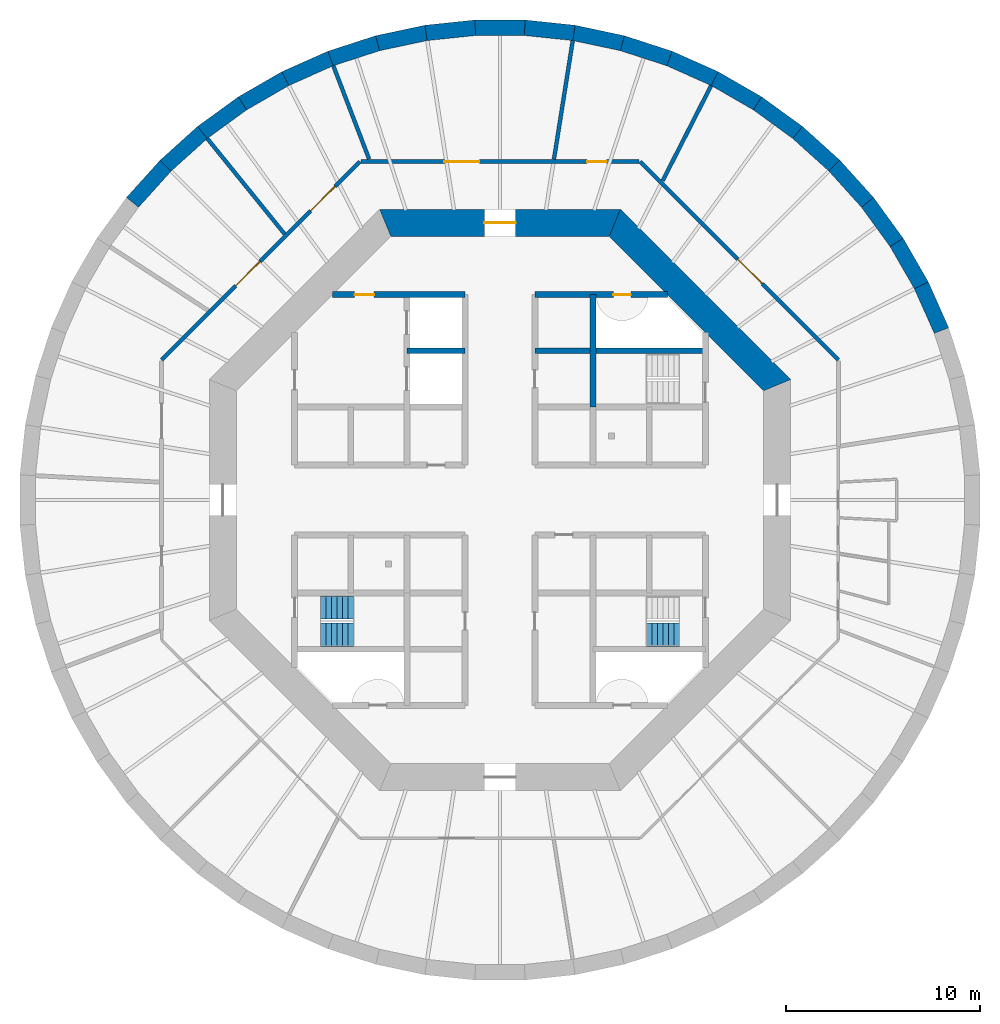
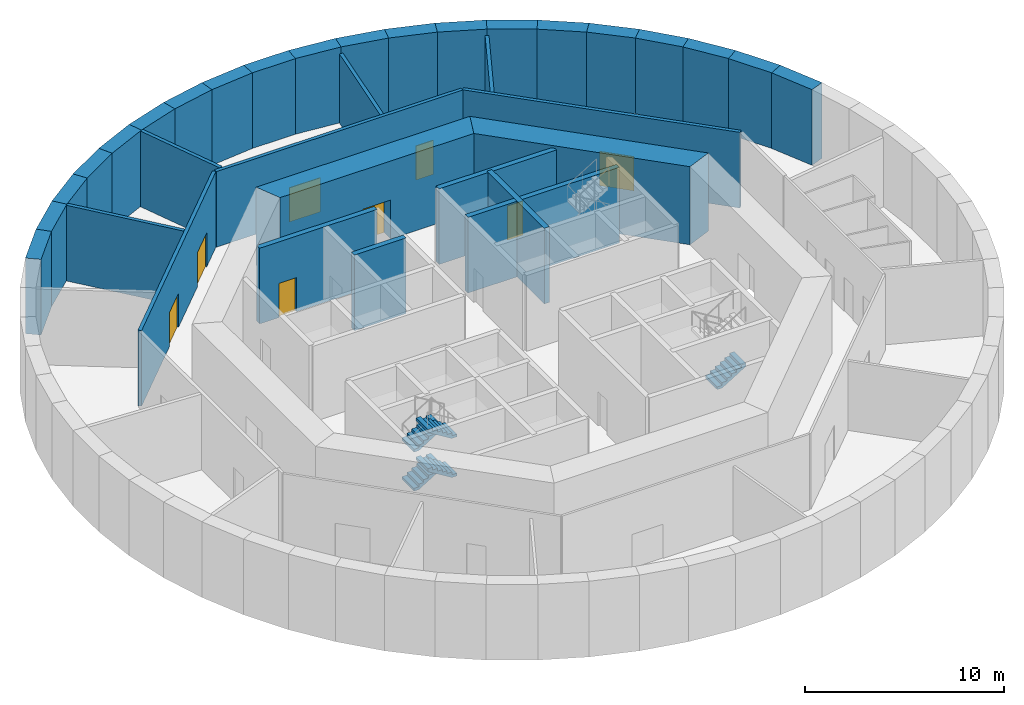
# One storey, part 5 of 7: 34 walls, 8 doors, 5 stair flights, 8 openings, 2 elements without a shape of their own.
"""IFC4 building model written with IfcOpenShell, lengths in metres."""

from ifc_helpers import new_model, si_unit, direction, frame, frame_2d, origin, place, context, subcontext, project, spatial, polyline, rectangle, outline, extrude, material, layer, layer_set, type_object, element, fill, aggregate, save


model = new_model("IFC4")

# Units and contexts
model_context = context("Model", 3, precision=1e-05, world=origin(), true_north=direction((0.0, 1.0)))
body_context = subcontext(model_context, "Body", "Model", "MODEL_VIEW")
ifc_project = project(units=[si_unit("LENGTHUNIT", "METRE"), si_unit("AREAUNIT", "SQUARE_METRE"), si_unit("VOLUMEUNIT", "CUBIC_METRE"), si_unit("PLANEANGLEUNIT", "RADIAN"), si_unit("MASSUNIT", "GRAM", prefix="KILO")], contexts=[model_context])

# Site, building, storey
site_placement = place(None, origin())
site = spatial("IfcSite", under=ifc_project, at=site_placement, CompositionType="ELEMENT")
building_placement = place(site_placement, origin())
building = spatial("IfcBuilding", under=site, at=building_placement, Name="Entoto Ring Tower", CompositionType="ELEMENT")
storey_placement = place(building_placement, frame((0.0, 0.0, -4.800048828125)))
storey = spatial("IfcBuildingStorey", under=building, at=storey_placement, Name="B1", CompositionType="ELEMENT", Elevation=-4.800048828125)

# Walls
ifc_material_1 = material(Name="Concrete C40/50", Category="concrete")
ifc_layer_1 = layer(ifc_material_1, 0.300048828125)
ifc_layer_set_1 = layer_set([ifc_layer_1], Name="Concrete C40/50")
wall_type_1 = type_object("IfcWallType", Name="Core enclosure wall 300 mm reinforced concrete", PredefinedType="SOLIDWALL", material=ifc_layer_set_1)
wall_1_placement = place(storey_placement, frame((94.800048828125, 84.800048828125, 0.0), z_axis=(0.0, 0.0, 1.0), x_axis=(0.0, 1.0, 0.0)))
element("IfcWall", 1, at=wall_1_placement, inside=storey, type_object=wall_type_1, Name="wall-B1-006", PredefinedType="SOLIDWALL", context=body_context, shape_type="SweptSolid", body=[
    extrude(rectangle(XDim=5.800048828125, YDim=0.300048828125, at=frame_2d((2.89990234375, 0.0))), origin(), (0.0, 0.0, 1.0), 4.650146484375),
])
wall_2_placement = place(storey_placement, frame((85.199951171875, 87.699951171875, 0.0), z_axis=(0.0, 0.0, 1.0), x_axis=(1.0, 0.0, 0.0)))
element("IfcWall", 2, at=wall_2_placement, inside=storey, type_object=wall_type_1, Name="wall-B1-031", PredefinedType="SOLIDWALL", context=body_context, shape_type="SweptSolid", body=[
    extrude(rectangle(XDim=3.0, YDim=0.300048828125, at=frame_2d((1.5, 0.0))), origin(), (0.0, 0.0, 1.0), 4.650146484375),
])
wall_3_placement = place(storey_placement, frame((91.800048828125, 87.699951171875, 0.0), z_axis=(0.0, 0.0, 1.0), x_axis=(1.0, 0.0, 0.0)))
element("IfcWall", 3, at=wall_3_placement, inside=storey, type_object=wall_type_1, Name="wall-B1-032", PredefinedType="SOLIDWALL", context=body_context, shape_type="SweptSolid", body=[
    extrude(rectangle(XDim=8.800048828125, YDim=0.300048828125, at=frame_2d((4.39990234375, 0.0))), origin(), (0.0, 0.0, 1.0), 4.650146484375),
])

# Wall, opening, door
wall_4_placement = place(storey_placement, frame((81.36669921875, 90.60009765625, 0.0), z_axis=(0.0, 0.0, 1.0), x_axis=(1.0, 0.0, 0.0)))
wall_4 = element("IfcWall", 4, at=wall_4_placement, inside=storey, type_object=wall_type_1, Name="wall-B1-033", PredefinedType="SOLIDWALL", context=body_context, shape_type="SweptSolid", body=[
    extrude(rectangle(XDim=6.833251953125, YDim=0.300048828125, at=frame_2d((3.41650390625, 0.0))), origin(), (0.0, 0.0, 1.0), 4.650146484375),
])
opening_1_placement = place(wall_4_placement, frame((1.13330078125, 0.0, 0.0)))
opening_1 = element("IfcOpeningElement", 5, at=opening_1_placement, cuts=wall_4, Name="Opening K-17", PredefinedType="OPENING", context=body_context, shape_type="SweptSolid", body=[
    extrude(rectangle(XDim=1.0, YDim=2.10009765625, at=frame_2d((0.5, 1.050048828125))), frame((0.0, 0.16015625, 0.0), z_axis=(0.0, -1.0, 0.0), x_axis=(1.0, 0.0, 0.0)), (0.0, 0.0, 1.0), 0.320068359375),
])
ifc_material_2 = material(Name="Steel door leaf, fire rated", Category="steel")
ifc_layer_2 = layer(ifc_material_2, 0.050048828125)
ifc_layer_set_2 = layer_set([ifc_layer_2], Name="Steel door leaf, fire rated")
door_type_1 = type_object("IfcDoorType", Name="Fire door FD60 1000 x 2100 single leaf", OperationType="NOTDEFINED", PredefinedType="DOOR", material=ifc_layer_set_2)
door_1_placement = place(opening_1_placement, frame((1.0, 0.0, 0.0), z_axis=(0.0, 0.0, 1.0), x_axis=(-1.0, 0.0, 0.0)))
door_1 = element("IfcDoor", 6, at=door_1_placement, inside=storey, type_object=door_type_1, Name="Door K-17", OperationType="SINGLE_SWING_RIGHT", OverallHeight=2.10009765625, OverallWidth=1.0, PredefinedType="DOOR", context=body_context, shape_type="SweptSolid", body=[
    extrude(rectangle(XDim=1.0, YDim=2.10009765625, at=frame_2d((0.5, 1.050048828125))), frame((0.0, 0.02490234375, 0.0), z_axis=(0.0, -1.0, 0.0), x_axis=(1.0, 0.0, 0.0)), (0.0, 0.0, 1.0), 0.050048828125),
])
fill(opening_1, door_1)

wall_5_placement = place(storey_placement, frame((91.800048828125, 90.60009765625, 0.0), z_axis=(0.0, 0.0, 1.0), x_axis=(1.0, 0.0, 0.0)))
wall_5 = element("IfcWall", 7, at=wall_5_placement, inside=storey, type_object=wall_type_1, Name="wall-B1-034", PredefinedType="SOLIDWALL", context=body_context, shape_type="SweptSolid", body=[
    extrude(rectangle(XDim=6.833251953125, YDim=0.300048828125, at=frame_2d((3.41650390625, 0.0))), origin(), (0.0, 0.0, 1.0), 4.650146484375),
])
opening_2_placement = place(wall_5_placement, frame((4.050048828125, 0.0, 0.0)))
opening_2 = element("IfcOpeningElement", 8, at=opening_2_placement, cuts=wall_5, Name="Opening K-48", PredefinedType="OPENING", context=body_context, shape_type="SweptSolid", body=[
    extrude(rectangle(XDim=0.89990234375, YDim=2.10009765625, at=frame_2d((0.449951171875, 1.050048828125))), frame((0.0, 0.16015625, 0.0), z_axis=(0.0, -1.0, 0.0), x_axis=(1.0, 0.0, 0.0)), (0.0, 0.0, 1.0), 0.320068359375),
])
ifc_material_3 = material(Name="Steel door leaf, fire rated", Category="steel")
ifc_layer_3 = layer(ifc_material_3, 0.050048828125)
ifc_layer_set_3 = layer_set([ifc_layer_3], Name="Steel door leaf, fire rated")
door_type_2 = type_object("IfcDoorType", Name="Riser door FD60 900 x 2100 single leaf", OperationType="NOTDEFINED", PredefinedType="DOOR", material=ifc_layer_set_3)
door_2_placement = place(opening_2_placement, frame((0.89990234375, 0.0, 0.0), z_axis=(0.0, 0.0, 1.0), x_axis=(-1.0, 0.0, 0.0)))
door_2 = element("IfcDoor", 9, at=door_2_placement, inside=storey, type_object=door_type_2, Name="Door K-48", OperationType="SINGLE_SWING_LEFT", OverallHeight=2.10009765625, OverallWidth=0.89990234375, PredefinedType="DOOR", context=body_context, shape_type="SweptSolid", body=[
    extrude(rectangle(XDim=0.89990234375, YDim=2.10009765625, at=frame_2d((0.449951171875, 1.050048828125))), frame((0.0, 0.02490234375, 0.0), z_axis=(0.0, -1.0, 0.0), x_axis=(1.0, 0.0, 0.0)), (0.0, 0.0, 1.0), 0.050048828125),
])
fill(opening_2, door_2)

# Wall
ifc_material_4 = material(Name="Concrete C60/75", Category="concrete")
ifc_layer_4 = layer(ifc_material_4, 1.39990234375)
ifc_layer_set_4 = layer_set([ifc_layer_4], Name="Concrete C60/75")
wall_type_2 = type_object("IfcWallType", Name="Core shear wall 1400 mm reinforced concrete C60/75", PredefinedType="SHEAR", material=ifc_layer_set_4)
wall_6_placement = place(storey_placement, frame((104.300048828125, 85.92333984375, 0.0), z_axis=(0.0, 0.0, 1.0), x_axis=(-0.707106781187, 0.707106781187, 0.0)))
element("IfcWall", 10, at=wall_6_placement, inside=storey, type_object=wall_type_2, Name="wall-B1-core-1", PredefinedType="SHEAR", context=body_context, shape_type="SweptSolid", body=[
    extrude(outline(polyline([(-0.2900390625, -0.699951171875), (12.136474609375, -0.699951171875), (11.556396484375, 0.699951171875), (0.2900390625, 0.699951171875), (-0.2900390625, -0.699951171875)])), origin(), (0.0, 0.0, 1.0), 4.800048828125),
])

# Wall, opening, door
wall_7_placement = place(storey_placement, frame((95.92333984375, 94.300048828125, 0.0), z_axis=(0.0, 0.0, 1.0), x_axis=(-1.0, 0.0, 0.0)))
wall_7 = element("IfcWall", 11, at=wall_7_placement, inside=storey, type_object=wall_type_2, Name="wall-B1-core-2", PredefinedType="SHEAR", context=body_context, shape_type="SweptSolid", body=[
    extrude(outline(polyline([(-0.2900390625, -0.699951171875), (12.13671875, -0.699951171875), (11.556640625, 0.699951171875), (0.2900390625, 0.699951171875), (-0.2900390625, -0.699951171875)])), origin(), (0.0, 0.0, 1.0), 4.800048828125),
])
opening_3_placement = place(wall_7_placement, frame((5.123291015625, 0.0, 0.0)))
opening_3 = element("IfcOpeningElement", 12, at=opening_3_placement, cuts=wall_7, Name="Opening K-02", PredefinedType="OPENING", context=body_context, shape_type="SweptSolid", body=[
    extrude(rectangle(XDim=1.60009765625, YDim=2.39990234375, at=frame_2d((0.800048828125, 1.199951171875))), frame((0.0, 0.7099609375, 0.0), z_axis=(0.0, -1.0, 0.0), x_axis=(1.0, 0.0, 0.0)), (0.0, 0.0, 1.0), 1.419921875),
])
ifc_material_5 = material(Name="Steel door leaf, fire rated", Category="steel")
ifc_layer_5 = layer(ifc_material_5, 0.050048828125)
ifc_layer_set_5 = layer_set([ifc_layer_5], Name="Steel door leaf, fire rated")
door_type_3 = type_object("IfcDoorType", Name="Entrance door FD60 1600 x 2400 double leaf", OperationType="DOUBLE_DOOR_SINGLE_SWING", PredefinedType="DOOR", material=ifc_layer_set_5)
door_3_placement = place(opening_3_placement, origin())
door_3 = element("IfcDoor", 13, at=door_3_placement, inside=storey, type_object=door_type_3, Name="Entrance door K-02", OperationType="DOUBLE_DOOR_SINGLE_SWING", OverallHeight=2.39990234375, OverallWidth=1.60009765625, PredefinedType="DOOR", context=body_context, shape_type="SweptSolid", body=[
    extrude(rectangle(XDim=1.60009765625, YDim=2.39990234375, at=frame_2d((0.800048828125, 1.199951171875))), frame((0.0, 0.02490234375, 0.0), z_axis=(0.0, -1.0, 0.0), x_axis=(1.0, 0.0, 0.0)), (0.0, 0.0, 1.0), 0.050048828125),
])
fill(opening_3, door_3)

# Wall, openings, doors
ifc_material_6 = material(Name="Concrete C20/25", Category="concrete")
ifc_layer_6 = layer(ifc_material_6, 0.199951171875)
ifc_layer_set_6 = layer_set([ifc_layer_6], Name="Concrete C20/25")
wall_type_3 = type_object("IfcWallType", Name="Plant room wall 200 mm two-hour concrete", PredefinedType="PARTITIONING", material=ifc_layer_set_6)
wall_8_placement = place(storey_placement, frame((72.53759765625, 87.233154296875, 0.0), z_axis=(0.0, 0.0, 1.0), x_axis=(0.707106781187, 0.707106781187, 0.0)))
wall_8 = element("IfcWall", 14, at=wall_8_placement, inside=storey, type_object=wall_type_3, Name="partition-B1-011", PredefinedType="PARTITIONING", context=body_context, shape_type="SweptSolid", body=[
    extrude(rectangle(XDim=14.46630859375, YDim=0.199951171875, at=frame_2d((7.233154296875, 0.0))), origin(), (0.0, 0.0, 1.0), 4.650146484375),
])
opening_4_placement = place(wall_8_placement, frame((10.867431640625, 0.0, 0.0)))
opening_4 = element("IfcOpeningElement", 15, at=opening_4_placement, cuts=wall_8, Name="Opening B01-D04", PredefinedType="OPENING", context=body_context, shape_type="SweptSolid", body=[
    extrude(rectangle(XDim=1.800048828125, YDim=2.10009765625, at=frame_2d((0.89990234375, 1.050048828125))), frame((0.0, 0.10986328125, 0.0), z_axis=(0.0, -1.0, 0.0), x_axis=(1.0, 0.0, 0.0)), (0.0, 0.0, 1.0), 0.219970703125),
])
opening_5_placement = place(wall_8_placement, frame((5.39501953125, 0.0, 0.0)))
opening_5 = element("IfcOpeningElement", 16, at=opening_5_placement, cuts=wall_8, Name="Opening B01-D05", PredefinedType="OPENING", context=body_context, shape_type="SweptSolid", body=[
    extrude(rectangle(XDim=1.800048828125, YDim=2.10009765625, at=frame_2d((0.89990234375, 1.050048828125))), frame((0.0, 0.10986328125, 0.0), z_axis=(0.0, -1.0, 0.0), x_axis=(1.0, 0.0, 0.0)), (0.0, 0.0, 1.0), 0.219970703125),
])
ifc_material_7 = material(Name="Fire-resisting steel door set", Category="steel")
door_type_4 = type_object("IfcDoorType", Name="Door 1800 x 2100 double leaf FD60 steel door", OperationType="DOUBLE_DOOR_SINGLE_SWING", PredefinedType="DOOR", material=ifc_material_7)
door_4_placement = place(opening_4_placement, origin())
door_4 = element("IfcDoor", 17, at=door_4_placement, inside=storey, type_object=door_type_4, Name="Door B01-D04", OperationType="DOUBLE_DOOR_SINGLE_SWING", OverallHeight=2.10009765625, OverallWidth=1.800048828125, PredefinedType="DOOR", context=body_context, shape_type="SweptSolid", body=[
    extrude(rectangle(XDim=1.800048828125, YDim=2.10009765625, at=frame_2d((0.89990234375, 1.050048828125))), frame((0.0, 0.02490234375, 0.0), z_axis=(0.0, -1.0, 0.0), x_axis=(1.0, 0.0, 0.0)), (0.0, 0.0, 1.0), 0.050048828125),
])
fill(opening_4, door_4)
door_5_placement = place(opening_5_placement, origin())
door_5 = element("IfcDoor", 18, at=door_5_placement, inside=storey, type_object=door_type_4, Name="Door B01-D05", OperationType="DOUBLE_DOOR_SINGLE_SWING", OverallHeight=2.10009765625, OverallWidth=1.800048828125, PredefinedType="DOOR", context=body_context, shape_type="SweptSolid", body=[
    extrude(rectangle(XDim=1.800048828125, YDim=2.10009765625, at=frame_2d((0.89990234375, 1.050048828125))), frame((0.0, 0.02490234375, 0.0), z_axis=(0.0, -1.0, 0.0), x_axis=(1.0, 0.0, 0.0)), (0.0, 0.0, 1.0), 0.050048828125),
])
fill(opening_5, door_5)

# Wall, opening, door
wall_9_placement = place(storey_placement, frame((107.46240234375, 87.233154296875, 0.0), z_axis=(0.0, 0.0, 1.0), x_axis=(-0.707106781187, 0.707106781187, 0.0)))
wall_9 = element("IfcWall", 19, at=wall_9_placement, inside=storey, type_object=wall_type_3, Name="partition-B1-012", PredefinedType="PARTITIONING", context=body_context, shape_type="SweptSolid", body=[
    extrude(rectangle(XDim=14.46630859375, YDim=0.199951171875, at=frame_2d((7.233154296875, 0.0))), origin(), (0.0, 0.0, 1.0), 4.650146484375),
])
opening_6_placement = place(wall_9_placement, frame((5.5537109375, 0.0, 0.0)))
opening_6 = element("IfcOpeningElement", 20, at=opening_6_placement, cuts=wall_9, Name="Opening B01-D01", PredefinedType="OPENING", context=body_context, shape_type="SweptSolid", body=[
    extrude(rectangle(XDim=1.800048828125, YDim=2.10009765625, at=frame_2d((0.89990234375, 1.050048828125))), frame((0.0, 0.10986328125, 0.0), z_axis=(0.0, -1.0, 0.0), x_axis=(1.0, 0.0, 0.0)), (0.0, 0.0, 1.0), 0.219970703125),
])
door_6_placement = place(opening_6_placement, origin())
door_6 = element("IfcDoor", 21, at=door_6_placement, inside=storey, type_object=door_type_4, Name="Door B01-D01", OperationType="DOUBLE_DOOR_SINGLE_SWING", OverallHeight=2.10009765625, OverallWidth=1.800048828125, PredefinedType="DOOR", context=body_context, shape_type="SweptSolid", body=[
    extrude(rectangle(XDim=1.800048828125, YDim=2.10009765625, at=frame_2d((0.89990234375, 1.050048828125))), frame((0.0, 0.02490234375, 0.0), z_axis=(0.0, -1.0, 0.0), x_axis=(1.0, 0.0, 0.0)), (0.0, 0.0, 1.0), 0.050048828125),
])
fill(opening_6, door_6)

# Wall, openings, doors
wall_10_placement = place(storey_placement, frame((82.83740234375, 97.46240234375, 0.0), z_axis=(0.0, 0.0, 1.0), x_axis=(1.0, 0.0, 0.0)))
wall_10 = element("IfcWall", 22, at=wall_10_placement, inside=storey, type_object=wall_type_3, Name="partition-B1-013", PredefinedType="PARTITIONING", context=body_context, shape_type="SweptSolid", body=[
    extrude(rectangle(XDim=14.3251953125, YDim=0.199951171875, at=frame_2d((7.16259765625, 0.0))), origin(), (0.0, 0.0, 1.0), 4.650146484375),
])
opening_7_placement = place(wall_10_placement, frame((11.662109375, 0.0, 0.0)))
opening_7 = element("IfcOpeningElement", 23, at=opening_7_placement, cuts=wall_10, Name="Opening B01-D02", PredefinedType="OPENING", context=body_context, shape_type="SweptSolid", body=[
    extrude(rectangle(XDim=1.0, YDim=2.10009765625, at=frame_2d((0.5, 1.050048828125))), frame((0.0, 0.10986328125, 0.0), z_axis=(0.0, -1.0, 0.0), x_axis=(1.0, 0.0, 0.0)), (0.0, 0.0, 1.0), 0.219970703125),
])
opening_8_placement = place(wall_10_placement, frame((4.2939453125, 0.0, 0.0)))
opening_8 = element("IfcOpeningElement", 24, at=opening_8_placement, cuts=wall_10, Name="Opening B01-D03", PredefinedType="OPENING", context=body_context, shape_type="SweptSolid", body=[
    extrude(rectangle(XDim=1.800048828125, YDim=2.10009765625, at=frame_2d((0.89990234375, 1.050048828125))), frame((0.0, 0.10986328125, 0.0), z_axis=(0.0, -1.0, 0.0), x_axis=(1.0, 0.0, 0.0)), (0.0, 0.0, 1.0), 0.219970703125),
])
ifc_material_8 = material(Name="Fire-resisting steel door set", Category="steel")
door_type_5 = type_object("IfcDoorType", Name="Door 1000 x 2100 single leaf FD60 steel door", OperationType="NOTDEFINED", PredefinedType="DOOR", material=ifc_material_8)
door_7_placement = place(opening_7_placement, origin())
door_7 = element("IfcDoor", 25, at=door_7_placement, inside=storey, type_object=door_type_5, Name="Door B01-D02", OperationType="SINGLE_SWING_LEFT", OverallHeight=2.10009765625, OverallWidth=1.0, PredefinedType="DOOR", context=body_context, shape_type="SweptSolid", body=[
    extrude(rectangle(XDim=1.0, YDim=2.10009765625, at=frame_2d((0.5, 1.050048828125))), frame((0.0, 0.02490234375, 0.0), z_axis=(0.0, -1.0, 0.0), x_axis=(1.0, 0.0, 0.0)), (0.0, 0.0, 1.0), 0.050048828125),
])
fill(opening_7, door_7)
door_8_placement = place(opening_8_placement, origin())
door_8 = element("IfcDoor", 26, at=door_8_placement, inside=storey, type_object=door_type_4, Name="Door B01-D03", OperationType="DOUBLE_DOOR_SINGLE_SWING", OverallHeight=2.10009765625, OverallWidth=1.800048828125, PredefinedType="DOOR", context=body_context, shape_type="SweptSolid", body=[
    extrude(rectangle(XDim=1.800048828125, YDim=2.10009765625, at=frame_2d((0.89990234375, 1.050048828125))), frame((0.0, 0.02490234375, 0.0), z_axis=(0.0, -1.0, 0.0), x_axis=(1.0, 0.0, 0.0)), (0.0, 0.0, 1.0), 0.050048828125),
])
fill(opening_8, door_8)

# Walls
wall_11_placement = place(storey_placement, frame((78.880126953125, 93.73193359375, 0.0), z_axis=(0.0, 0.0, 1.0), x_axis=(-0.629320355888, 0.77714598993, 0.0)))
element("IfcWall", 27, at=wall_11_placement, inside=storey, type_object=wall_type_3, Name="partition-B1-016", PredefinedType="PARTITIONING", context=body_context, shape_type="SweptSolid", body=[
    extrude(rectangle(XDim=6.325439453125, YDim=0.199951171875, at=frame_2d((3.16259765625, 0.0))), origin(), (0.0, 0.0, 1.0), 4.650146484375),
])
wall_12_placement = place(storey_placement, frame((83.24462890625, 97.59814453125, 0.0), z_axis=(0.0, 0.0, 1.0), x_axis=(-0.35836211696, 0.933582665396, 0.0)))
element("IfcWall", 28, at=wall_12_placement, inside=storey, type_object=wall_type_3, Name="partition-B1-022", PredefinedType="PARTITIONING", context=body_context, shape_type="SweptSolid", body=[
    extrude(rectangle(XDim=5.14501953125, YDim=0.199951171875, at=frame_2d((2.572509765625, 0.0))), origin(), (0.0, 0.0, 1.0), 4.650146484375),
])
ifc_material_9 = material(Name="Concrete C20/25", Category="concrete")
ifc_layer_7 = layer(ifc_material_9, 0.199951171875)
ifc_layer_set_7 = layer_set([ifc_layer_7], Name="Concrete C20/25")
wall_type_4 = type_object("IfcWallType", Name="Plant room wall 200 mm two-hour concrete, 4250 mm high", PredefinedType="PARTITIONING", material=ifc_layer_set_7)
wall_13_placement = place(storey_placement, frame((92.7841796875, 97.578125, 0.0), z_axis=(0.0, 0.0, 1.0), x_axis=(0.156421728124, 0.98769035784, 0.0)))
element("IfcWall", 29, at=wall_13_placement, inside=storey, type_object=wall_type_4, Name="partition-B1-017", PredefinedType="PARTITIONING", context=body_context, shape_type="SweptSolid", body=[
    extrude(rectangle(XDim=6.19775390625, YDim=0.199951171875, at=frame_2d((3.098876953125, 0.0))), origin(), (0.0, 0.0, 1.0), 4.25),
])
wall_14_placement = place(storey_placement, frame((98.398193359375, 96.482421875, 0.0), z_axis=(0.0, 0.0, 1.0), x_axis=(0.454005628165, 0.890998815709, 0.0)))
element("IfcWall", 30, at=wall_14_placement, inside=storey, type_object=wall_type_4, Name="partition-B1-020", PredefinedType="PARTITIONING", context=body_context, shape_type="SweptSolid", body=[
    extrude(rectangle(XDim=5.496337890625, YDim=0.199951171875, at=frame_2d((2.748046875, 0.0))), origin(), (0.0, 0.0, 1.0), 4.25),
])
ifc_material_10 = material(Name="Concrete C40/50", Category="concrete")
ifc_layer_8 = layer(ifc_material_10, 0.800048828125)
ifc_layer_set_8 = layer_set([ifc_layer_8], Name="Concrete C40/50")
wall_type_5 = type_object("IfcWallType", Name="Retaining wall 800 mm upper basement", PredefinedType="SOLIDWALL", material=ifc_layer_set_8)
for number, where, z_axis, x_axis, name in (
    (31, (112.77978515625, 88.744384765625, 0.0), (0.0, 0.0, 1.0), (-0.406732610778, 0.913547252927, 0.0), "Retaining wall B1 03"),
    (32, (111.740966796875, 91.07763671875, 0.0), (0.0, 0.0, 1.0), (-0.499943114462, 0.866058244174, 0.0), "Retaining wall B1 04"),
    (33, (110.464111328125, 93.28955078125, 0.0), (0.0, 0.0, 1.0), (-0.587802181756, 0.809004694129, 0.0), "Retaining wall B1 05"),
):
    element("IfcWall", number, at=place(storey_placement, frame(where, z_axis=z_axis, x_axis=x_axis)), inside=storey, type_object=wall_type_5, Name=name, PredefinedType="SOLIDWALL", context=body_context, shape_type="SweptSolid", body=[
        extrude(outline(polyline([(-0.02099609375, -0.39990234375), (2.574951171875, -0.39990234375), (2.532958984375, 0.39990234375), (0.02099609375, 0.39990234375), (-0.02099609375, -0.39990234375)])), origin(), (0.0, 0.0, 1.0), 4.650146484375),
    ])
for number, where, z_axis, x_axis, name in (
    (34, (108.962890625, 95.355712890625, 0.0), (0.0, 0.0, 1.0), (-0.669096744895, 0.74317531308, 0.0), "Retaining wall B1 06"),
    (35, (107.25390625, 97.25390625, 0.0), (0.0, 0.0, 1.0), (-0.74317531308, 0.669096744895, 0.0), "Retaining wall B1 07"),
):
    element("IfcWall", number, at=place(storey_placement, frame(where, z_axis=z_axis, x_axis=x_axis)), inside=storey, type_object=wall_type_5, Name=name, PredefinedType="SOLIDWALL", context=body_context, shape_type="SweptSolid", body=[
        extrude(outline(polyline([(-0.02099609375, -0.39990234375), (2.5751953125, -0.39990234375), (2.533203125, 0.39990234375), (0.02099609375, 0.39990234375), (-0.02099609375, -0.39990234375)])), origin(), (0.0, 0.0, 1.0), 4.650146484375),
    ])
for number, where, z_axis, x_axis, name in (
    (36, (105.355712890625, 98.962890625, 0.0), (0.0, 0.0, 1.0), (-0.809004694129, 0.587802181756, 0.0), "Retaining wall B1 08"),
    (37, (103.28955078125, 100.464111328125, 0.0), (0.0, 0.0, 1.0), (-0.866058244174, 0.499943114462, 0.0), "Retaining wall B1 09"),
    (38, (101.07763671875, 101.740966796875, 0.0), (0.0, 0.0, 1.0), (-0.913547252927, 0.406732610778, 0.0), "Retaining wall B1 10"),
    (39, (98.744384765625, 102.77978515625, 0.0), (0.0, 0.0, 1.0), (-0.951046010282, 0.30904932669, 0.0), "Retaining wall B1 11"),
):
    element("IfcWall", number, at=place(storey_placement, frame(where, z_axis=z_axis, x_axis=x_axis)), inside=storey, type_object=wall_type_5, Name=name, PredefinedType="SOLIDWALL", context=body_context, shape_type="SweptSolid", body=[
        extrude(outline(polyline([(-0.02099609375, -0.39990234375), (2.574951171875, -0.39990234375), (2.532958984375, 0.39990234375), (0.02099609375, 0.39990234375), (-0.02099609375, -0.39990234375)])), origin(), (0.0, 0.0, 1.0), 4.650146484375),
    ])
wall_15_placement = place(storey_placement, frame((96.3154296875, 103.569091796875, 0.0), z_axis=(0.0, 0.0, 1.0), x_axis=(-0.97814937544, 0.207903341306, 0.0)))
element("IfcWall", 40, at=wall_15_placement, inside=storey, type_object=wall_type_5, Name="Retaining wall B1 12", PredefinedType="SOLIDWALL", context=body_context, shape_type="SweptSolid", body=[
    extrude(outline(polyline([(-0.02099609375, -0.39990234375), (2.5751953125, -0.39990234375), (2.533203125, 0.39990234375), (0.02099609375, 0.39990234375), (-0.02099609375, -0.39990234375)])), origin(), (0.0, 0.0, 1.0), 4.650146484375),
])
wall_16_placement = place(storey_placement, frame((93.817138671875, 104.10009765625, 0.0), z_axis=(0.0, 0.0, 1.0), x_axis=(-0.994516970058, 0.104575313845, 0.0)))
element("IfcWall", 41, at=wall_16_placement, inside=storey, type_object=wall_type_5, Name="Retaining wall B1 13", PredefinedType="SOLIDWALL", context=body_context, shape_type="SweptSolid", body=[
    extrude(outline(polyline([(-0.02099609375, -0.39990234375), (2.574951171875, -0.39990234375), (2.532958984375, 0.39990234375), (0.02099609375, 0.39990234375), (-0.02099609375, -0.39990234375)])), origin(), (0.0, 0.0, 1.0), 4.650146484375),
])
wall_17_placement = place(storey_placement, frame((91.277099609375, 104.3671875, 0.0), z_axis=(0.0, 0.0, 1.0), x_axis=(-1.0, 0.0, 0.0)))
element("IfcWall", 42, at=wall_17_placement, inside=storey, type_object=wall_type_5, Name="Retaining wall B1 14", PredefinedType="SOLIDWALL", context=body_context, shape_type="SweptSolid", body=[
    extrude(outline(polyline([(-0.02099609375, -0.39990234375), (2.5751953125, -0.39990234375), (2.533203125, 0.39990234375), (0.02099609375, 0.39990234375), (-0.02099609375, -0.39990234375)])), origin(), (0.0, 0.0, 1.0), 4.650146484375),
])
wall_18_placement = place(storey_placement, frame((88.722900390625, 104.3671875, 0.0), z_axis=(0.0, 0.0, 1.0), x_axis=(-0.994516970058, -0.104575313845, 0.0)))
element("IfcWall", 43, at=wall_18_placement, inside=storey, type_object=wall_type_5, Name="Retaining wall B1 15", PredefinedType="SOLIDWALL", context=body_context, shape_type="SweptSolid", body=[
    extrude(outline(polyline([(-0.02099609375, -0.39990234375), (2.574951171875, -0.39990234375), (2.532958984375, 0.39990234375), (0.02099609375, 0.39990234375), (-0.02099609375, -0.39990234375)])), origin(), (0.0, 0.0, 1.0), 4.650146484375),
])
wall_19_placement = place(storey_placement, frame((86.182861328125, 104.10009765625, 0.0), z_axis=(0.0, 0.0, 1.0), x_axis=(-0.97814937544, -0.207903341306, 0.0)))
element("IfcWall", 44, at=wall_19_placement, inside=storey, type_object=wall_type_5, Name="Retaining wall B1 16", PredefinedType="SOLIDWALL", context=body_context, shape_type="SweptSolid", body=[
    extrude(outline(polyline([(-0.02099609375, -0.39990234375), (2.5751953125, -0.39990234375), (2.533203125, 0.39990234375), (0.02099609375, 0.39990234375), (-0.02099609375, -0.39990234375)])), origin(), (0.0, 0.0, 1.0), 4.650146484375),
])
for number, where, z_axis, x_axis, name in (
    (45, (83.6845703125, 103.569091796875, 0.0), (0.0, 0.0, 1.0), (-0.951046010282, -0.30904932669, 0.0), "Retaining wall B1 17"),
    (46, (81.255615234375, 102.77978515625, 0.0), (0.0, 0.0, 1.0), (-0.913547252927, -0.406732610778, 0.0), "Retaining wall B1 18"),
    (47, (78.92236328125, 101.740966796875, 0.0), (0.0, 0.0, 1.0), (-0.866058244174, -0.499943114462, 0.0), "Retaining wall B1 19"),
    (48, (76.71044921875, 100.464111328125, 0.0), (0.0, 0.0, 1.0), (-0.809004694129, -0.587802181756, 0.0), "Retaining wall B1 20"),
):
    element("IfcWall", number, at=place(storey_placement, frame(where, z_axis=z_axis, x_axis=x_axis)), inside=storey, type_object=wall_type_5, Name=name, PredefinedType="SOLIDWALL", context=body_context, shape_type="SweptSolid", body=[
        extrude(outline(polyline([(-0.02099609375, -0.39990234375), (2.574951171875, -0.39990234375), (2.532958984375, 0.39990234375), (0.02099609375, 0.39990234375), (-0.02099609375, -0.39990234375)])), origin(), (0.0, 0.0, 1.0), 4.650146484375),
    ])
for number, where, z_axis, x_axis, name in (
    (49, (74.644287109375, 98.962890625, 0.0), (0.0, 0.0, 1.0), (-0.74317531308, -0.669096744895, 0.0), "Retaining wall B1 21"),
    (50, (72.74609375, 97.25390625, 0.0), (0.0, 0.0, 1.0), (-0.669096744895, -0.74317531308, 0.0), "Retaining wall B1 22"),
):
    element("IfcWall", number, at=place(storey_placement, frame(where, z_axis=z_axis, x_axis=x_axis)), inside=storey, type_object=wall_type_5, Name=name, PredefinedType="SOLIDWALL", context=body_context, shape_type="SweptSolid", body=[
        extrude(outline(polyline([(-0.02099609375, -0.39990234375), (2.5751953125, -0.39990234375), (2.533203125, 0.39990234375), (0.02099609375, 0.39990234375), (-0.02099609375, -0.39990234375)])), origin(), (0.0, 0.0, 1.0), 4.650146484375),
    ])

# Stair, stair flights
ifc_material_11 = material(Name="Concrete C40/50", Category="concrete")
stair_type = type_object("IfcStairType", Name="Exit stair 1200 mm dog-leg reinforced concrete", PredefinedType="HALF_TURN_STAIR", material=ifc_material_11)
stair_1_placement = place(storey_placement, origin())
stair_1 = element("IfcStair", 51, at=stair_1_placement, inside=storey, type_object=stair_type, Name="Exit stair 2", PredefinedType="HALF_TURN_STAIR")
ifc_material_12 = material(Name="Concrete C40/50", Category="concrete")
stair_flight_type = type_object("IfcStairFlightType", Name="Stair flight 1200 mm reinforced concrete", PredefinedType="STRAIGHT", material=ifc_material_12)
stair_flight_1_placement = place(storey_placement, frame((80.75, 74.449951171875, 0.0), z_axis=(0.0, 0.0, 1.0), x_axis=(1.0, 0.0, 0.0)))
stair_flight_1 = element("IfcStairFlight", 52, at=stair_flight_1_placement, type_object=stair_flight_type, Name="ST2 flight 1", NumberOfRisers=7, NumberOfTreads=6, PredefinedType="STRAIGHT", RiserHeight=0.171428571, TreadLength=0.28, context=body_context, shape_type="SweptSolid", body=[
    extrude(outline(polyline([(0.0, 0.0), (0.0, 0.05712890625), (0.0, 0.1142578125), (0.0, 0.17138671875), (0.280029296875, 0.17138671875), (0.280029296875, 0.3427734375), (0.56005859375, 0.3427734375), (0.56005859375, 0.514404296875), (0.840087890625, 0.514404296875), (0.840087890625, 0.685791015625), (1.1201171875, 0.685791015625), (1.1201171875, 0.857177734375), (1.39990234375, 0.857177734375), (1.39990234375, 1.028564453125), (1.679931640625, 1.028564453125), (1.679931640625, 1.199951171875), (1.679931640625, 1.084228515625), (1.679931640625, 0.968505859375), (1.679931640625, 0.852783203125), (0.287109375, 0.0), (0.0, 0.0)])), frame((0.0, 0.60009765625, 0.0), z_axis=(0.0, -1.0, 0.0), x_axis=(1.0, 0.0, 0.0)), (0.0, 0.0, 1.0), 1.199951171875),
])
stair_flight_2_placement = place(storey_placement, frame((82.429931640625, 73.050048828125, 1.199951171875), z_axis=(0.0, 0.0, 1.0), x_axis=(-1.0, 0.0, 0.0)))
stair_flight_2 = element("IfcStairFlight", 53, at=stair_flight_2_placement, type_object=stair_flight_type, Name="ST2 flight 2", NumberOfRisers=7, NumberOfTreads=6, PredefinedType="STRAIGHT", RiserHeight=0.171428571, TreadLength=0.28, context=body_context, shape_type="SweptSolid", body=[
    extrude(outline(polyline([(0.0, 0.0), (0.0, 0.05712890625), (0.0, 0.1142578125), (0.0, 0.17138671875), (0.280029296875, 0.17138671875), (0.280029296875, 0.3427734375), (0.56005859375, 0.3427734375), (0.56005859375, 0.514404296875), (0.840087890625, 0.514404296875), (0.840087890625, 0.685791015625), (1.1201171875, 0.685791015625), (1.1201171875, 0.857177734375), (1.39990234375, 0.857177734375), (1.39990234375, 1.028564453125), (1.679931640625, 1.028564453125), (1.679931640625, 1.199951171875), (1.679931640625, 1.084228515625), (1.679931640625, 0.968505859375), (1.679931640625, 0.852783203125), (0.287109375, 0.0), (0.0, 0.0)])), frame((0.0, 0.60009765625, 0.0), z_axis=(0.0, -1.0, 0.0), x_axis=(1.0, 0.0, 0.0)), (0.0, 0.0, 1.0), 1.199951171875),
])
stair_flight_3_placement = place(storey_placement, frame((80.75, 74.449951171875, 2.400146484375), z_axis=(0.0, 0.0, 1.0), x_axis=(1.0, 0.0, 0.0)))
stair_flight_3 = element("IfcStairFlight", 54, at=stair_flight_3_placement, type_object=stair_flight_type, Name="ST2 flight 3", NumberOfRisers=7, NumberOfTreads=6, PredefinedType="STRAIGHT", RiserHeight=0.171428571, TreadLength=0.28, context=body_context, shape_type="SweptSolid", body=[
    extrude(outline(polyline([(0.0, 0.0), (0.0, 0.05712890625), (0.0, 0.1142578125), (0.0, 0.17138671875), (0.280029296875, 0.17138671875), (0.280029296875, 0.3427734375), (0.56005859375, 0.3427734375), (0.56005859375, 0.514404296875), (0.840087890625, 0.514404296875), (0.840087890625, 0.685791015625), (1.1201171875, 0.685791015625), (1.1201171875, 0.857177734375), (1.39990234375, 0.857177734375), (1.39990234375, 1.028564453125), (1.679931640625, 1.028564453125), (1.679931640625, 1.199951171875), (1.679931640625, 1.084228515625), (1.679931640625, 0.968505859375), (1.679931640625, 0.852783203125), (0.287109375, 0.0), (0.0, 0.0)])), frame((0.0, 0.60009765625, 0.0), z_axis=(0.0, -1.0, 0.0), x_axis=(1.0, 0.0, 0.0)), (0.0, 0.0, 1.0), 1.199951171875),
])
stair_flight_4_placement = place(storey_placement, frame((82.429931640625, 73.050048828125, 3.60009765625), z_axis=(0.0, 0.0, 1.0), x_axis=(-1.0, 0.0, 0.0)))
stair_flight_4 = element("IfcStairFlight", 55, at=stair_flight_4_placement, type_object=stair_flight_type, Name="ST2 flight 4", NumberOfRisers=7, NumberOfTreads=6, PredefinedType="STRAIGHT", RiserHeight=0.171428571, TreadLength=0.28, context=body_context, shape_type="SweptSolid", body=[
    extrude(outline(polyline([(0.0, 0.0), (0.0, 0.05712890625), (0.0, 0.1142578125), (0.0, 0.17138671875), (0.280029296875, 0.17138671875), (0.280029296875, 0.3427734375), (0.56005859375, 0.3427734375), (0.56005859375, 0.514404296875), (0.840087890625, 0.514404296875), (0.840087890625, 0.685791015625), (1.1201171875, 0.685791015625), (1.1201171875, 0.857177734375), (1.39990234375, 0.857177734375), (1.39990234375, 1.028564453125), (1.679931640625, 1.028564453125), (1.679931640625, 1.199951171875), (1.679931640625, 1.084228515625), (1.679931640625, 0.968505859375), (1.679931640625, 0.852783203125), (0.287109375, 0.0), (0.0, 0.0)])), frame((0.0, 0.60009765625, 0.0), z_axis=(0.0, -1.0, 0.0), x_axis=(1.0, 0.0, 0.0)), (0.0, 0.0, 1.0), 1.199951171875),
])
aggregate(stair_1, [stair_flight_1, stair_flight_2, stair_flight_3, stair_flight_4])

# Stair, stair flight
stair_2_placement = place(storey_placement, origin())
stair_2 = element("IfcStair", 56, at=stair_2_placement, inside=storey, type_object=stair_type, Name="Exit stair 3", PredefinedType="HALF_TURN_STAIR")
stair_flight_5_placement = place(storey_placement, frame((97.570068359375, 73.050048828125, 1.199951171875), z_axis=(0.0, 0.0, 1.0), x_axis=(1.0, 0.0, 0.0)))
stair_flight_5 = element("IfcStairFlight", 57, at=stair_flight_5_placement, type_object=stair_flight_type, Name="ST3 flight 2", NumberOfRisers=7, NumberOfTreads=6, PredefinedType="STRAIGHT", RiserHeight=0.171428571, TreadLength=0.28, context=body_context, shape_type="SweptSolid", body=[
    extrude(outline(polyline([(0.0, 0.0), (0.0, 0.05712890625), (0.0, 0.1142578125), (0.0, 0.17138671875), (0.280029296875, 0.17138671875), (0.280029296875, 0.3427734375), (0.56005859375, 0.3427734375), (0.56005859375, 0.514404296875), (0.840087890625, 0.514404296875), (0.840087890625, 0.685791015625), (1.1201171875, 0.685791015625), (1.1201171875, 0.857177734375), (1.39990234375, 0.857177734375), (1.39990234375, 1.028564453125), (1.679931640625, 1.028564453125), (1.679931640625, 1.199951171875), (1.679931640625, 1.084228515625), (1.679931640625, 0.968505859375), (1.679931640625, 0.852783203125), (0.287109375, 0.0), (0.0, 0.0)])), frame((0.0, 0.60009765625, 0.0), z_axis=(0.0, -1.0, 0.0), x_axis=(1.0, 0.0, 0.0)), (0.0, 0.0, 1.0), 1.199951171875),
])
aggregate(stair_2, [stair_flight_5])

save(model, "model.ifc")
